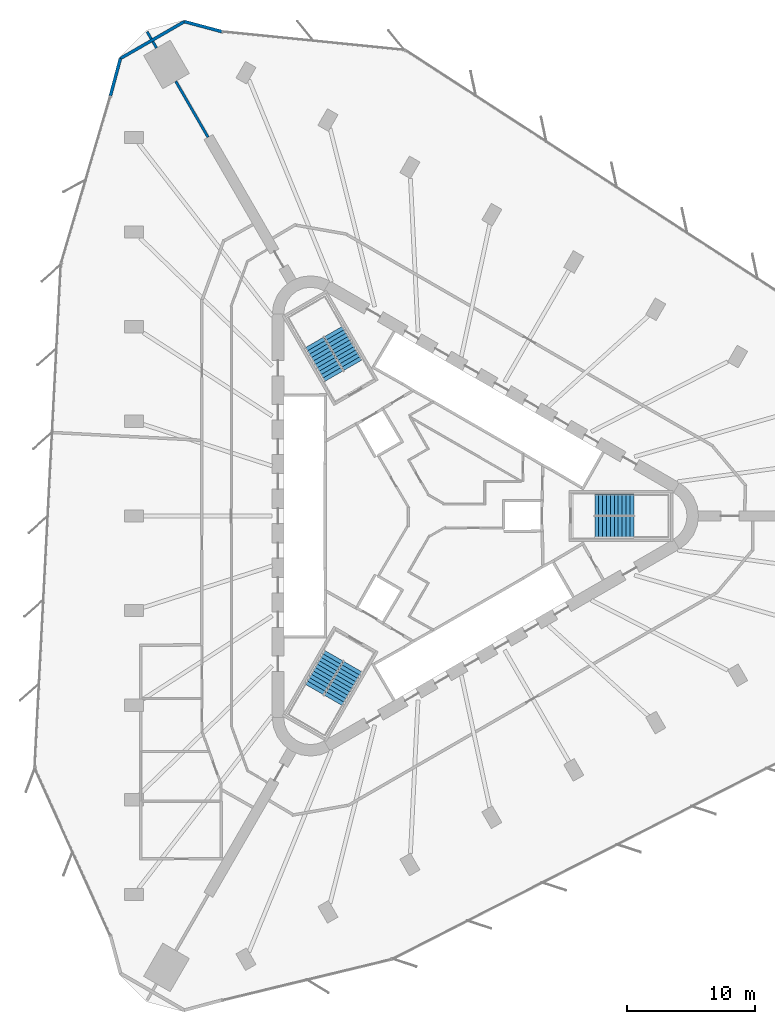
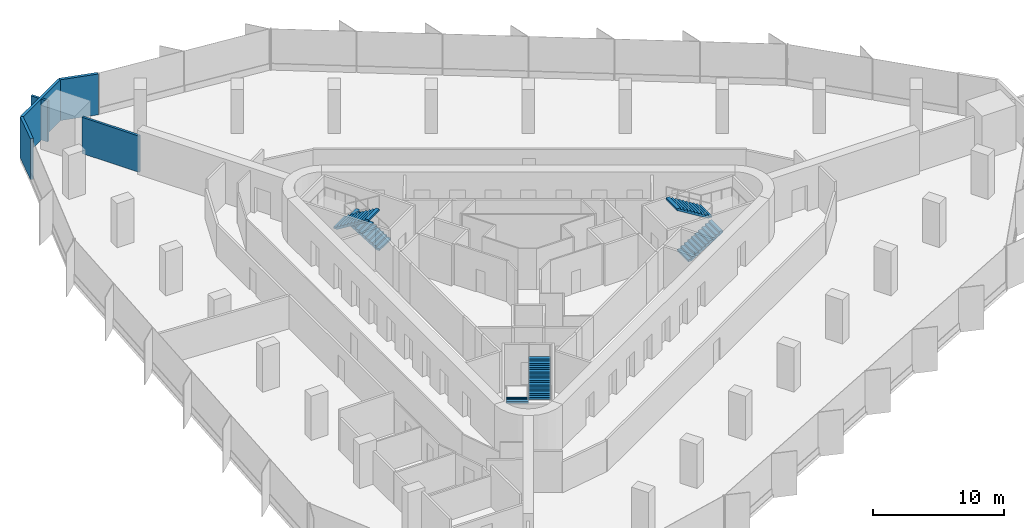
# One storey, part 13 of 14: 6 stair flights, 6 walls, 3 elements without a shape of their own.
"""IFC4 building model written with IfcOpenShell, lengths in metres."""

from ifc_helpers import new_model, si_unit, direction, frame, frame_2d, origin, place, context, subcontext, project, spatial, polyline, rectangle, outline, extrude, material, layer, layer_set, type_object, element, aggregate, save


model = new_model("IFC4")

# Units and contexts
model_context = context("Model", 3, precision=1e-05, world=origin(), true_north=direction((0.0, 1.0)))
body_context = subcontext(model_context, "Body", "Model", "MODEL_VIEW")
ifc_project = project(units=[si_unit("LENGTHUNIT", "METRE"), si_unit("AREAUNIT", "SQUARE_METRE"), si_unit("VOLUMEUNIT", "CUBIC_METRE"), si_unit("PLANEANGLEUNIT", "RADIAN"), si_unit("MASSUNIT", "GRAM", prefix="KILO")], contexts=[model_context])

# Site, building, storey
site_placement = place(None, origin())
site = spatial("IfcSite", under=ifc_project, at=site_placement, CompositionType="ELEMENT")
building_placement = place(site_placement, origin())
building = spatial("IfcBuilding", under=site, at=building_placement, Name="Tanit Gate Tower", CompositionType="ELEMENT")
storey_placement = place(building_placement, frame((0.0, 0.0, 115.199951171875)))
storey = spatial("IfcBuildingStorey", under=building, at=storey_placement, Name="L24", CompositionType="ELEMENT", Elevation=115.199951171875)

# Walls
ifc_material_1 = material(Name="Concrete C30/37 with bronze anodised aluminium cladding", Category="concrete")
ifc_layer_1 = layer(ifc_material_1, 0.239990234375)
ifc_layer_set_1 = layer_set([ifc_layer_1], Name="Facade wall bronze clad 240")
wall_type_1 = type_object("IfcWallType", Name="Facade wall bronze clad 240", PredefinedType="SOLIDWALL", material=ifc_layer_set_1)
wall_1_placement = place(storey_placement, frame((-16.0380859375, 37.83349609375, 0.0), z_axis=(0.0, 0.0, 1.0), x_axis=(-0.965933302526, 0.258791141795, 0.0)))
element("IfcWall", 1, at=wall_1_placement, inside=storey, type_object=wall_type_1, Name="Bronze-clad facade wall L24 NW.arc1", PredefinedType="SOLIDWALL", context=body_context, shape_type="SweptSolid", body=[
    extrude(rectangle(XDim=3.029296875, YDim=0.239990234375, at=frame_2d((1.5146484375, 0.0))), origin(), (0.0, 0.0, 1.0), 3.800048828125),
])
wall_2_placement = place(storey_placement, frame((-18.964111328125, 38.617431640625, 0.0), z_axis=(0.0, 0.0, 1.0), x_axis=(-0.866013679419, -0.500020306647, 0.0)))
element("IfcWall", 2, at=wall_2_placement, inside=storey, type_object=wall_type_1, Name="Bronze-clad facade wall L24 NW.arc2", PredefinedType="SOLIDWALL", context=body_context, shape_type="SweptSolid", body=[
    extrude(rectangle(XDim=5.770751953125, YDim=0.239990234375, at=frame_2d((2.88525390625, 0.0))), origin(), (0.0, 0.0, 1.0), 3.800048828125),
])
wall_3_placement = place(storey_placement, frame((-23.961669921875, 35.73193359375, 0.0), z_axis=(0.0, 0.0, 1.0), x_axis=(-0.258799378192, -0.965931095807, 0.0)))
element("IfcWall", 3, at=wall_3_placement, inside=storey, type_object=wall_type_1, Name="Bronze-clad facade wall L24 NW.arc3", PredefinedType="SOLIDWALL", context=body_context, shape_type="SweptSolid", body=[
    extrude(rectangle(XDim=3.020751953125, YDim=0.239990234375, at=frame_2d((1.51025390625, 0.0))), origin(), (0.0, 0.0, 1.0), 3.800048828125),
])
ifc_material_2 = material(Name="Fire-rated gypsum board partition")
ifc_layer_2 = layer(ifc_material_2, 0.199951171875)
ifc_layer_set_2 = layer_set([ifc_layer_2], Name="INT-WALL-COMPARTMENT")
wall_type_2 = type_object("IfcWallType", Name="INT-WALL-COMPARTMENT", PredefinedType="PARTITIONING", material=ifc_layer_set_2)
wall_4_placement = place(storey_placement, frame((-21.871337890625, 37.822265625, 0.0), z_axis=(0.0, 0.0, 1.0), x_axis=(0.500006411147, -0.866021702275, 0.0)))
element("IfcWall", 4, at=wall_4_placement, inside=storey, type_object=wall_type_2, Name="Wall Compartment W120", PredefinedType="PARTITIONING", context=body_context, shape_type="SweptSolid", body=[
    extrude(rectangle(XDim=0.64501953125, YDim=0.199951171875, at=frame_2d((0.322509765625, 0.0))), origin(), (0.0, 0.0, 1.0), 3.800048828125),
])
wall_5_placement = place(storey_placement, frame((-21.428955078125, 37.055908203125, 0.0), z_axis=(0.0, 0.0, 1.0), x_axis=(0.500193841991, -0.86591346013, 0.0)))
element("IfcWall", 5, at=wall_5_placement, inside=storey, type_object=wall_type_2, Name="Wall Compartment W120x1", PredefinedType="PARTITIONING", context=body_context, shape_type="SweptSolid", body=[
    extrude(rectangle(XDim=0.582763671875, YDim=0.199951171875, at=frame_2d((0.29150390625, 0.0))), origin(), (0.0, 0.0, 1.0), 3.800048828125),
])
wall_6_placement = place(storey_placement, frame((-19.637451171875, 33.953125, 0.0), z_axis=(0.0, 0.0, 1.0), x_axis=(0.499994660107, -0.866028486751, 0.0)))
element("IfcWall", 6, at=wall_6_placement, inside=storey, type_object=wall_type_2, Name="Wall Compartment W121", PredefinedType="PARTITIONING", context=body_context, shape_type="SweptSolid", body=[
    extrude(rectangle(XDim=5.04638671875, YDim=0.199951171875, at=frame_2d((2.523193359375, 0.0))), origin(), (0.0, 0.0, 1.0), 3.3701171875),
])

# Stair, stair flights
ifc_material_3 = material(Name="Concrete C40/50", Category="concrete")
stair_type = type_object("IfcStairType", Name="INT-STAIR-EXIT", PredefinedType="HALF_TURN_STAIR", material=ifc_material_3)
stair_1_placement = place(storey_placement, origin())
stair_1 = element("IfcStair", 7, at=stair_1_placement, inside=storey, type_object=stair_type, Name="L24 STAIR S1", PredefinedType="HALF_TURN_STAIR")
ifc_material_4 = material(Name="Concrete C40/50", Category="concrete")
stair_flight_type = type_object("IfcStairFlightType", Name="INT-STAIR-FLIGHT", PredefinedType="STRAIGHT", material=ifc_material_4)
stair_flight_1_placement = place(storey_placement, frame((13.094970703125, -0.8525390625, 0.0), z_axis=(0.0, 0.0, 1.0), x_axis=(1.0, 0.0, 0.0)))
stair_flight_1 = element("IfcStairFlight", 8, at=stair_flight_1_placement, type_object=stair_flight_type, Name="S1 flight 1", NumberOfRisers=11, NumberOfTreads=10, PredefinedType="STRAIGHT", RiserHeight=0.186363636, TreadLength=0.3051, context=body_context, shape_type="SweptSolid", body=[
    extrude(outline(polyline([(0.0, 0.0), (0.0, 0.186279296875), (0.30517578125, 0.186279296875), (0.30517578125, 0.372802734375), (0.610107421875, 0.372802734375), (0.610107421875, 0.55908203125), (0.915283203125, 0.55908203125), (0.915283203125, 0.745361328125), (1.220458984375, 0.745361328125), (1.220458984375, 0.931884765625), (1.525390625, 0.931884765625), (1.525390625, 1.1181640625), (1.83056640625, 1.1181640625), (1.83056640625, 1.304443359375), (2.1357421875, 1.304443359375), (2.1357421875, 1.490966796875), (2.44091796875, 1.490966796875), (2.44091796875, 1.67724609375), (2.745849609375, 1.67724609375), (2.745849609375, 1.863525390625), (3.051025390625, 1.863525390625), (3.051025390625, 2.050048828125), (3.051025390625, 1.68798828125), (0.28759765625, 0.0), (0.0, 0.0)])), frame((0.0, 0.84765625, 0.0), z_axis=(0.0, -1.0, 0.0), x_axis=(1.0, 0.0, 0.0)), (0.0, 0.0, 1.0), 1.695068359375),
])
stair_flight_2_placement = place(storey_placement, frame((16.14599609375, 0.8525390625, 2.050048828125), z_axis=(0.0, 0.0, 1.0), x_axis=(-1.0, 0.0, 0.0)))
stair_flight_2 = element("IfcStairFlight", 9, at=stair_flight_2_placement, type_object=stair_flight_type, Name="S1 flight 2", NumberOfRisers=11, NumberOfTreads=10, PredefinedType="STRAIGHT", RiserHeight=0.186363636, TreadLength=0.3051, context=body_context, shape_type="SweptSolid", body=[
    extrude(outline(polyline([(0.0, 0.0), (0.0, 0.186279296875), (0.30517578125, 0.186279296875), (0.30517578125, 0.372802734375), (0.610107421875, 0.372802734375), (0.610107421875, 0.55908203125), (0.915283203125, 0.55908203125), (0.915283203125, 0.745361328125), (1.220458984375, 0.745361328125), (1.220458984375, 0.931884765625), (1.525390625, 0.931884765625), (1.525390625, 1.1181640625), (1.83056640625, 1.1181640625), (1.83056640625, 1.304443359375), (2.1357421875, 1.304443359375), (2.1357421875, 1.490966796875), (2.44091796875, 1.490966796875), (2.44091796875, 1.67724609375), (2.745849609375, 1.67724609375), (2.745849609375, 1.863525390625), (3.051025390625, 1.863525390625), (3.051025390625, 2.050048828125), (3.051025390625, 1.68798828125), (0.28759765625, 0.0), (0.0, 0.0)])), frame((0.0, 0.84765625, 0.0), z_axis=(0.0, -1.0, 0.0), x_axis=(1.0, 0.0, 0.0)), (0.0, 0.0, 1.0), 1.695068359375),
])
aggregate(stair_1, [stair_flight_1, stair_flight_2])

stair_2_placement = place(storey_placement, origin())
stair_2 = element("IfcStair", 10, at=stair_2_placement, inside=storey, type_object=stair_type, Name="L24 STAIR S2", PredefinedType="HALF_TURN_STAIR")
stair_flight_3_placement = place(storey_placement, frame((-5.808349609375, 11.766357421875, 0.0), z_axis=(0.0, 0.0, 1.0), x_axis=(-0.5, 0.866025403784, 0.0)))
stair_flight_3 = element("IfcStairFlight", 11, at=stair_flight_3_placement, type_object=stair_flight_type, Name="S2 flight 1", NumberOfRisers=11, NumberOfTreads=10, PredefinedType="STRAIGHT", RiserHeight=0.186363636, TreadLength=0.30492, context=body_context, shape_type="SweptSolid", body=[
    extrude(outline(polyline([(0.0, 0.0), (0.0, 0.186279296875), (0.304931640625, 0.186279296875), (0.304931640625, 0.372802734375), (0.60986328125, 0.372802734375), (0.60986328125, 0.55908203125), (0.914794921875, 0.55908203125), (0.914794921875, 0.745361328125), (1.2197265625, 0.745361328125), (1.2197265625, 0.931884765625), (1.524658203125, 0.931884765625), (1.524658203125, 1.1181640625), (1.82958984375, 1.1181640625), (1.82958984375, 1.304443359375), (2.134521484375, 1.304443359375), (2.134521484375, 1.490966796875), (2.439453125, 1.490966796875), (2.439453125, 1.67724609375), (2.744384765625, 1.67724609375), (2.744384765625, 1.863525390625), (3.04931640625, 1.863525390625), (3.04931640625, 2.050048828125), (3.04931640625, 1.68798828125), (0.287353515625, 0.0), (0.0, 0.0)])), frame((0.0, 0.84716796875, 0.0), z_axis=(0.0, -1.0, 0.0), x_axis=(1.0, 0.0, 0.0)), (0.0, 0.0, 1.0), 1.694091796875),
])
stair_flight_4_placement = place(storey_placement, frame((-8.810302734375, 13.553955078125, 2.050048828125), z_axis=(0.0, 0.0, 1.0), x_axis=(0.5, -0.866025403784, 0.0)))
stair_flight_4 = element("IfcStairFlight", 12, at=stair_flight_4_placement, type_object=stair_flight_type, Name="S2 flight 2", NumberOfRisers=11, NumberOfTreads=10, PredefinedType="STRAIGHT", RiserHeight=0.186363636, TreadLength=0.30492, context=body_context, shape_type="SweptSolid", body=[
    extrude(outline(polyline([(0.0, 0.0), (0.0, 0.186279296875), (0.304931640625, 0.186279296875), (0.304931640625, 0.372802734375), (0.60986328125, 0.372802734375), (0.60986328125, 0.55908203125), (0.914794921875, 0.55908203125), (0.914794921875, 0.745361328125), (1.2197265625, 0.745361328125), (1.2197265625, 0.931884765625), (1.524658203125, 0.931884765625), (1.524658203125, 1.1181640625), (1.82958984375, 1.1181640625), (1.82958984375, 1.304443359375), (2.134521484375, 1.304443359375), (2.134521484375, 1.490966796875), (2.439453125, 1.490966796875), (2.439453125, 1.67724609375), (2.744384765625, 1.67724609375), (2.744384765625, 1.863525390625), (3.04931640625, 1.863525390625), (3.04931640625, 2.050048828125), (3.04931640625, 1.68798828125), (0.287353515625, 0.0), (0.0, 0.0)])), frame((0.0, 0.84716796875, 0.0), z_axis=(0.0, -1.0, 0.0), x_axis=(1.0, 0.0, 0.0)), (0.0, 0.0, 1.0), 1.694091796875),
])
aggregate(stair_2, [stair_flight_3, stair_flight_4])

stair_3_placement = place(storey_placement, origin())
stair_3 = element("IfcStair", 13, at=stair_3_placement, inside=storey, type_object=stair_type, Name="L24 STAIR S3", PredefinedType="HALF_TURN_STAIR")
stair_flight_5_placement = place(storey_placement, frame((-7.285888671875, -10.914306640625, 0.0), z_axis=(0.0, 0.0, 1.0), x_axis=(-0.5, -0.866025403784, 0.0)))
stair_flight_5 = element("IfcStairFlight", 14, at=stair_flight_5_placement, type_object=stair_flight_type, Name="S3 flight 1", NumberOfRisers=11, NumberOfTreads=10, PredefinedType="STRAIGHT", RiserHeight=0.186363636, TreadLength=0.3051, context=body_context, shape_type="SweptSolid", body=[
    extrude(outline(polyline([(0.0, 0.0), (0.0, 0.186279296875), (0.30517578125, 0.186279296875), (0.30517578125, 0.372802734375), (0.610107421875, 0.372802734375), (0.610107421875, 0.55908203125), (0.915283203125, 0.55908203125), (0.915283203125, 0.745361328125), (1.220458984375, 0.745361328125), (1.220458984375, 0.931884765625), (1.525390625, 0.931884765625), (1.525390625, 1.1181640625), (1.83056640625, 1.1181640625), (1.83056640625, 1.304443359375), (2.1357421875, 1.304443359375), (2.1357421875, 1.490966796875), (2.44091796875, 1.490966796875), (2.44091796875, 1.67724609375), (2.745849609375, 1.67724609375), (2.745849609375, 1.863525390625), (3.051025390625, 1.863525390625), (3.051025390625, 2.050048828125), (3.051025390625, 1.68798828125), (0.28759765625, 0.0), (0.0, 0.0)])), frame((0.0, 0.84765625, 0.0), z_axis=(0.0, -1.0, 0.0), x_axis=(1.0, 0.0, 0.0)), (0.0, 0.0, 1.0), 1.695068359375),
])
stair_flight_6_placement = place(storey_placement, frame((-7.334716796875, -14.4091796875, 2.050048828125), z_axis=(0.0, 0.0, 1.0), x_axis=(0.5, 0.866025403784, 0.0)))
stair_flight_6 = element("IfcStairFlight", 15, at=stair_flight_6_placement, type_object=stair_flight_type, Name="S3 flight 2", NumberOfRisers=11, NumberOfTreads=10, PredefinedType="STRAIGHT", RiserHeight=0.186363636, TreadLength=0.3051, context=body_context, shape_type="SweptSolid", body=[
    extrude(outline(polyline([(0.0, 0.0), (0.0, 0.186279296875), (0.30517578125, 0.186279296875), (0.30517578125, 0.372802734375), (0.610107421875, 0.372802734375), (0.610107421875, 0.55908203125), (0.915283203125, 0.55908203125), (0.915283203125, 0.745361328125), (1.220458984375, 0.745361328125), (1.220458984375, 0.931884765625), (1.525390625, 0.931884765625), (1.525390625, 1.1181640625), (1.83056640625, 1.1181640625), (1.83056640625, 1.304443359375), (2.1357421875, 1.304443359375), (2.1357421875, 1.490966796875), (2.44091796875, 1.490966796875), (2.44091796875, 1.67724609375), (2.745849609375, 1.67724609375), (2.745849609375, 1.863525390625), (3.051025390625, 1.863525390625), (3.051025390625, 2.050048828125), (3.051025390625, 1.68798828125), (0.28759765625, 0.0), (0.0, 0.0)])), frame((0.0, 0.84765625, 0.0), z_axis=(0.0, -1.0, 0.0), x_axis=(1.0, 0.0, 0.0)), (0.0, 0.0, 1.0), 1.695068359375),
])
aggregate(stair_3, [stair_flight_5, stair_flight_6])

save(model, "model.ifc")
